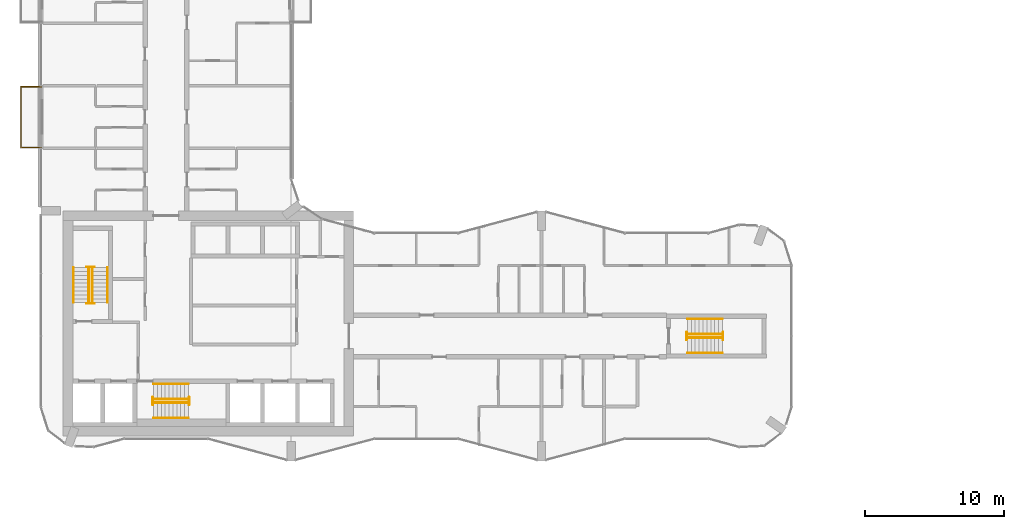
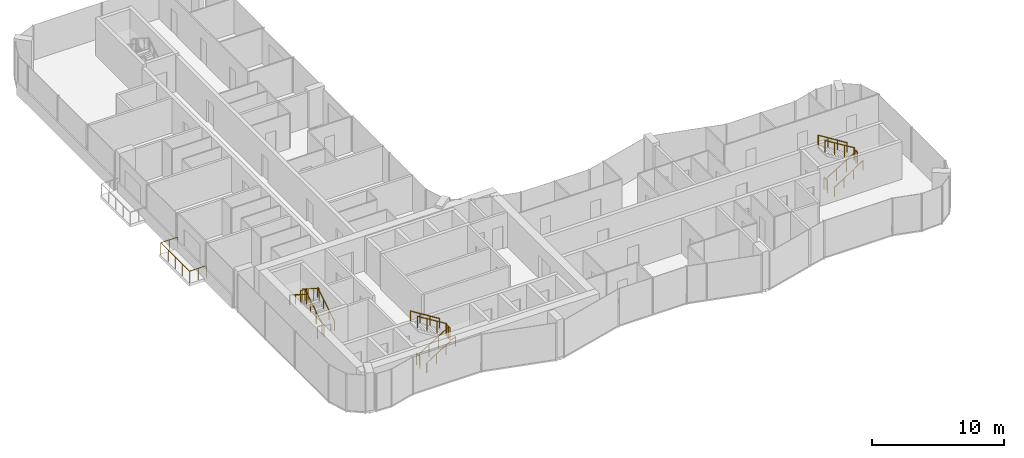
# One storey, part 21 of 23: 19 railings.
"""IFC4 building model written with IfcOpenShell, lengths in metres."""

from ifc_helpers import new_model, si_unit, direction, frame, origin, origin_2d, place, context, subcontext, project, spatial, circle, extrude, material, type_object, element, save


model = new_model("IFC4")

# Units and contexts
model_context = context("Model", 3, precision=1e-05, world=origin(), true_north=direction((0.0, 1.0)))
body_context = subcontext(model_context, "Body", "Model", "MODEL_VIEW")
ifc_project = project(units=[si_unit("LENGTHUNIT", "METRE"), si_unit("AREAUNIT", "SQUARE_METRE"), si_unit("VOLUMEUNIT", "CUBIC_METRE"), si_unit("PLANEANGLEUNIT", "RADIAN"), si_unit("MASSUNIT", "GRAM", prefix="KILO")], contexts=[model_context])

# Site, building, storey
site_placement = place(None, origin())
site = spatial("IfcSite", under=ifc_project, at=site_placement, CompositionType="ELEMENT")
building_placement = place(site_placement, origin())
building = spatial("IfcBuilding", under=site, at=building_placement, Name="Plateau Cross Towers", CompositionType="ELEMENT")
storey_placement = place(building_placement, frame((0.0, 0.0, 95.800048828125)))
storey = spatial("IfcBuildingStorey", under=building, at=storey_placement, Name="L24", CompositionType="ELEMENT", Elevation=95.800048828125)

# Railings
ifc_material_1 = material(Name="Stainless steel and toughened glass", Category="steel")
railing_type_1 = type_object("IfcRailingType", Name="Glass balustrade guard 1100", PredefinedType="GUARDRAIL", material=ifc_material_1)
railing_1_placement = place(storey_placement, frame((0.050048828125, 22.570068359375, 0.0)))
element("IfcRailing", 1, at=railing_1_placement, inside=storey, type_object=railing_type_1, Name="Guard guard1", PredefinedType="GUARDRAIL", context=body_context, shape_type="SweptSolid", body=[
    extrude(circle(Radius=0.02392578125, at=origin_2d()), frame((0.0, 0.0, 1.076171875), z_axis=(-1.0, 0.0, 0.0), x_axis=(0.0, -1.0, 0.0)), (0.0, 0.0, 1.0), 1.47998046875),
    extrude(circle(Radius=0.02392578125, at=origin_2d()), frame((-1.47998046875, 0.0, 1.076171875), z_axis=(0.0, 1.0, 0.0), x_axis=(-1.0, 0.0, 0.0)), (0.0, 0.0, 1.0), 4.35986328125),
    extrude(circle(Radius=0.02392578125, at=origin_2d()), frame((-1.47998046875, 4.35986328125, 1.076171875), z_axis=(1.0, 0.0, 0.0), x_axis=(0.0, 1.0, 0.0)), (0.0, 0.0, 1.0), 1.47998046875),
    extrude(circle(Radius=0.02099609375, at=origin_2d()), origin(), (0.0, 0.0, 1.0), 1.052001953125),
    extrude(circle(Radius=0.02099609375, at=origin_2d()), frame((-0.739990234375, 0.0, 0.0)), (0.0, 0.0, 1.0), 1.052001953125),
    extrude(circle(Radius=0.02099609375, at=origin_2d()), frame((-1.47998046875, 0.0, 0.0)), (0.0, 0.0, 1.0), 1.052001953125),
    extrude(circle(Radius=0.02099609375, at=origin_2d()), frame((-1.47998046875, 1.08984375, 0.0)), (0.0, 0.0, 1.0), 1.052001953125),
    extrude(circle(Radius=0.02099609375, at=origin_2d()), frame((-1.47998046875, 2.179931640625, 0.0)), (0.0, 0.0, 1.0), 1.052001953125),
    extrude(circle(Radius=0.02099609375, at=origin_2d()), frame((-1.47998046875, 3.27001953125, 0.0)), (0.0, 0.0, 1.0), 1.052001953125),
    extrude(circle(Radius=0.02099609375, at=origin_2d()), frame((-1.47998046875, 4.35986328125, 0.0)), (0.0, 0.0, 1.0), 1.052001953125),
    extrude(circle(Radius=0.02099609375, at=origin_2d()), frame((-0.739990234375, 4.35986328125, 0.0)), (0.0, 0.0, 1.0), 1.052001953125),
    extrude(circle(Radius=0.02099609375, at=origin_2d()), frame((0.0, 4.35986328125, 0.0)), (0.0, 0.0, 1.0), 1.052001953125),
])
railing_type_2 = type_object("IfcRailingType", Name="RL-GUARD-1100", PredefinedType="GUARDRAIL", material=ifc_material_1)
railing_2_placement = place(storey_placement, frame((3.699951171875, 11.39990234375, 0.175048828125)))
element("IfcRailing", 2, at=railing_2_placement, inside=storey, type_object=railing_type_2, Name="L24 ST-1 stair guard 1", PredefinedType="GUARDRAIL", context=body_context, shape_type="SweptSolid", body=[
    extrude(circle(Radius=0.02392578125, at=origin_2d()), frame((0.0, 0.0, 1.076171875), z_axis=(0.0, 0.848007534815, 0.529984170421), x_axis=(-1.0, 0.0, 0.0)), (0.0, 0.0, 1.0), 2.9716796875),
    extrude(circle(Radius=0.02099609375, at=origin_2d()), origin(), (0.0, 0.0, 1.0), 1.052001953125),
    extrude(circle(Radius=0.02099609375, at=origin_2d()), frame((0.0, 0.840087890625, 0.52490234375)), (0.0, 0.0, 1.0), 1.052001953125),
    extrude(circle(Radius=0.02099609375, at=origin_2d()), frame((0.0, 1.679931640625, 1.050048828125)), (0.0, 0.0, 1.0), 1.052001953125),
    extrude(circle(Radius=0.02099609375, at=origin_2d()), frame((0.0, 2.52001953125, 1.574951171875)), (0.0, 0.0, 1.0), 1.052001953125),
])
railing_3_placement = place(storey_placement, frame((3.85009765625, 13.969970703125, 1.75)))
element("IfcRailing", 3, at=railing_3_placement, inside=storey, type_object=railing_type_2, Name="L24 ST-1 stair guard 2", PredefinedType="GUARDRAIL", context=body_context, shape_type="SweptSolid", body=[
    extrude(circle(Radius=0.02392578125, at=origin_2d()), frame((0.0, 0.0, 1.076171875), z_axis=(-1.0, 0.0, 0.0), x_axis=(0.0, -1.0, 0.0)), (0.0, 0.0, 1.0), 0.550048828125),
    extrude(circle(Radius=0.02099609375, at=origin_2d()), origin(), (0.0, 0.0, 1.0), 1.052001953125),
    extrude(circle(Radius=0.02099609375, at=origin_2d()), frame((-0.550048828125, 0.0, 0.0)), (0.0, 0.0, 1.0), 1.052001953125),
])
railing_4_placement = place(storey_placement, frame((3.449951171875, 13.919921875, 1.925048828125)))
element("IfcRailing", 4, at=railing_4_placement, inside=storey, type_object=railing_type_2, Name="L24 ST-1 stair guard 3", PredefinedType="GUARDRAIL", context=body_context, shape_type="SweptSolid", body=[
    extrude(circle(Radius=0.02392578125, at=origin_2d()), frame((0.0, 0.0, 1.076171875), z_axis=(0.0, -0.852616386126, 0.522537365276), x_axis=(1.0, 0.0, 0.0)), (0.0, 0.0, 1.0), 3.01416015625),
    extrude(circle(Radius=0.02099609375, at=origin_2d()), origin(), (0.0, 0.0, 1.0), 1.052001953125),
    extrude(circle(Radius=0.02099609375, at=origin_2d()), frame((0.0, -0.856689453125, 0.52490234375)), (0.0, 0.0, 1.0), 1.052001953125),
    extrude(circle(Radius=0.02099609375, at=origin_2d()), frame((0.0, -1.713134765625, 1.050048828125)), (0.0, 0.0, 1.0), 1.052001953125),
    extrude(circle(Radius=0.02099609375, at=origin_2d()), frame((0.0, -2.56982421875, 1.574951171875)), (0.0, 0.0, 1.0), 1.052001953125),
])
railing_5_placement = place(storey_placement, frame((3.85009765625, 11.35009765625, 0.0)))
element("IfcRailing", 5, at=railing_5_placement, inside=storey, type_object=railing_type_2, Name="L24 ST-1 stair guard 4", PredefinedType="GUARDRAIL", context=body_context, shape_type="SweptSolid", body=[
    extrude(circle(Radius=0.02392578125, at=origin_2d()), frame((0.0, 0.0, 1.076171875), z_axis=(-1.0, 0.0, 0.0), x_axis=(0.0, -1.0, 0.0)), (0.0, 0.0, 1.0), 0.550048828125),
    extrude(circle(Radius=0.02099609375, at=origin_2d()), origin(), (0.0, 0.0, 1.0), 1.052001953125),
    extrude(circle(Radius=0.02099609375, at=origin_2d()), frame((-0.550048828125, 0.0, 0.0)), (0.0, 0.0, 1.0), 1.052001953125),
])
railing_6_placement = place(storey_placement, frame((8.10009765625, 4.199951171875, 0.175048828125)))
element("IfcRailing", 6, at=railing_6_placement, inside=storey, type_object=railing_type_2, Name="L24 ST-2 stair guard 1", PredefinedType="GUARDRAIL", context=body_context, shape_type="SweptSolid", body=[
    extrude(circle(Radius=0.02392578125, at=origin_2d()), frame((0.0, 0.0, 1.076171875), z_axis=(0.848007534815, 0.0, 0.529984170421), x_axis=(0.0, 1.0, 0.0)), (0.0, 0.0, 1.0), 2.9716796875),
    extrude(circle(Radius=0.02099609375, at=origin_2d()), origin(), (0.0, 0.0, 1.0), 1.052001953125),
    extrude(circle(Radius=0.02099609375, at=origin_2d()), frame((0.840087890625, 0.0, 0.52490234375)), (0.0, 0.0, 1.0), 1.052001953125),
    extrude(circle(Radius=0.02099609375, at=origin_2d()), frame((1.679931640625, 0.0, 1.050048828125)), (0.0, 0.0, 1.0), 1.052001953125),
    extrude(circle(Radius=0.02099609375, at=origin_2d()), frame((2.52001953125, 0.0, 1.574951171875)), (0.0, 0.0, 1.0), 1.052001953125),
])
railing_7_placement = place(storey_placement, frame((10.669921875, 4.050048828125, 1.75)))
element("IfcRailing", 7, at=railing_7_placement, inside=storey, type_object=railing_type_2, Name="L24 ST-2 stair guard 2", PredefinedType="GUARDRAIL", context=body_context, shape_type="SweptSolid", body=[
    extrude(circle(Radius=0.02392578125, at=origin_2d()), frame((0.0, 0.0, 1.076171875), z_axis=(0.0, 1.0, 0.0), x_axis=(-1.0, 0.0, 0.0)), (0.0, 0.0, 1.0), 0.550048828125),
    extrude(circle(Radius=0.02099609375, at=origin_2d()), origin(), (0.0, 0.0, 1.0), 1.052001953125),
    extrude(circle(Radius=0.02099609375, at=origin_2d()), frame((0.0, 0.550048828125, 0.0)), (0.0, 0.0, 1.0), 1.052001953125),
])
railing_8_placement = place(storey_placement, frame((10.6201171875, 4.449951171875, 1.925048828125)))
element("IfcRailing", 8, at=railing_8_placement, inside=storey, type_object=railing_type_2, Name="L24 ST-2 stair guard 3", PredefinedType="GUARDRAIL", context=body_context, shape_type="SweptSolid", body=[
    extrude(circle(Radius=0.02392578125, at=origin_2d()), frame((0.0, 0.0, 1.076171875), z_axis=(-0.852638500773, 0.0, 0.522501279423), x_axis=(0.0, -1.0, 0.0)), (0.0, 0.0, 1.0), 3.01416015625),
    extrude(circle(Radius=0.02099609375, at=origin_2d()), origin(), (0.0, 0.0, 1.0), 1.052001953125),
    extrude(circle(Radius=0.02099609375, at=origin_2d()), frame((-0.856689453125, 0.0, 0.52490234375)), (0.0, 0.0, 1.0), 1.052001953125),
    extrude(circle(Radius=0.02099609375, at=origin_2d()), frame((-1.71337890625, 0.0, 1.050048828125)), (0.0, 0.0, 1.0), 1.052001953125),
    extrude(circle(Radius=0.02099609375, at=origin_2d()), frame((-2.570068359375, 0.0, 1.574951171875)), (0.0, 0.0, 1.0), 1.052001953125),
])
railing_9_placement = place(storey_placement, frame((8.050048828125, 4.050048828125, 0.0)))
element("IfcRailing", 9, at=railing_9_placement, inside=storey, type_object=railing_type_2, Name="L24 ST-2 stair guard 4", PredefinedType="GUARDRAIL", context=body_context, shape_type="SweptSolid", body=[
    extrude(circle(Radius=0.02392578125, at=origin_2d()), frame((0.0, 0.0, 1.076171875), z_axis=(0.0, 1.0, 0.0), x_axis=(-1.0, 0.0, 0.0)), (0.0, 0.0, 1.0), 0.550048828125),
    extrude(circle(Radius=0.02099609375, at=origin_2d()), origin(), (0.0, 0.0, 1.0), 1.052001953125),
    extrude(circle(Radius=0.02099609375, at=origin_2d()), frame((0.0, 0.550048828125, 0.0)), (0.0, 0.0, 1.0), 1.052001953125),
])
railing_10_placement = place(storey_placement, frame((46.5, 8.875, 0.175048828125)))
element("IfcRailing", 10, at=railing_10_placement, inside=storey, type_object=railing_type_2, Name="L24 ES-E stair guard 1", PredefinedType="GUARDRAIL", context=body_context, shape_type="SweptSolid", body=[
    extrude(circle(Radius=0.02392578125, at=origin_2d()), frame((0.0, 0.0, 1.076171875), z_axis=(0.848007534815, 0.0, 0.529984170421), x_axis=(0.0, 1.0, 0.0)), (0.0, 0.0, 1.0), 2.9716796875),
    extrude(circle(Radius=0.02099609375, at=origin_2d()), origin(), (0.0, 0.0, 1.0), 1.052001953125),
    extrude(circle(Radius=0.02099609375, at=origin_2d()), frame((0.840087890625, 0.0, 0.52490234375)), (0.0, 0.0, 1.0), 1.052001953125),
    extrude(circle(Radius=0.02099609375, at=origin_2d()), frame((1.679931640625, 0.0, 1.050048828125)), (0.0, 0.0, 1.0), 1.052001953125),
    extrude(circle(Radius=0.02099609375, at=origin_2d()), frame((2.52001953125, 0.0, 1.574951171875)), (0.0, 0.0, 1.0), 1.052001953125),
])
railing_11_placement = place(storey_placement, frame((49.070068359375, 8.72509765625, 1.75)))
element("IfcRailing", 11, at=railing_11_placement, inside=storey, type_object=railing_type_2, Name="L24 ES-E stair guard 2", PredefinedType="GUARDRAIL", context=body_context, shape_type="SweptSolid", body=[
    extrude(circle(Radius=0.02392578125, at=origin_2d()), frame((0.0, 0.0, 1.076171875), z_axis=(0.0, 1.0, 0.0), x_axis=(-1.0, 0.0, 0.0)), (0.0, 0.0, 1.0), 0.5498046875),
    extrude(circle(Radius=0.02099609375, at=origin_2d()), origin(), (0.0, 0.0, 1.0), 1.052001953125),
    extrude(circle(Radius=0.02099609375, at=origin_2d()), frame((0.0, 0.5498046875, 0.0)), (0.0, 0.0, 1.0), 1.052001953125),
])
railing_12_placement = place(storey_placement, frame((49.02001953125, 9.125, 1.925048828125)))
element("IfcRailing", 12, at=railing_12_placement, inside=storey, type_object=railing_type_2, Name="L24 ES-E stair guard 3", PredefinedType="GUARDRAIL", context=body_context, shape_type="SweptSolid", body=[
    extrude(circle(Radius=0.02392578125, at=origin_2d()), frame((0.0, 0.0, 1.076171875), z_axis=(-0.852638500773, 0.0, 0.522501279423), x_axis=(0.0, -1.0, 0.0)), (0.0, 0.0, 1.0), 3.01416015625),
    extrude(circle(Radius=0.02099609375, at=origin_2d()), origin(), (0.0, 0.0, 1.0), 1.052001953125),
    extrude(circle(Radius=0.02099609375, at=origin_2d()), frame((-0.856689453125, 0.0, 0.52490234375)), (0.0, 0.0, 1.0), 1.052001953125),
    extrude(circle(Radius=0.02099609375, at=origin_2d()), frame((-1.71337890625, 0.0, 1.050048828125)), (0.0, 0.0, 1.0), 1.052001953125),
    extrude(circle(Radius=0.02099609375, at=origin_2d()), frame((-2.570068359375, 0.0, 1.574951171875)), (0.0, 0.0, 1.0), 1.052001953125),
])
railing_13_placement = place(storey_placement, frame((46.449951171875, 8.72509765625, 0.0)))
element("IfcRailing", 13, at=railing_13_placement, inside=storey, type_object=railing_type_2, Name="L24 ES-E stair guard 4", PredefinedType="GUARDRAIL", context=body_context, shape_type="SweptSolid", body=[
    extrude(circle(Radius=0.02392578125, at=origin_2d()), frame((0.0, 0.0, 1.076171875), z_axis=(0.0, 1.0, 0.0), x_axis=(-1.0, 0.0, 0.0)), (0.0, 0.0, 1.0), 0.5498046875),
    extrude(circle(Radius=0.02099609375, at=origin_2d()), origin(), (0.0, 0.0, 1.0), 1.052001953125),
    extrude(circle(Radius=0.02099609375, at=origin_2d()), frame((0.0, 0.5498046875, 0.0)), (0.0, 0.0, 1.0), 1.052001953125),
])
ifc_material_2 = material(Name="Black anodised aluminium", Category="aluminium")
railing_type_3 = type_object("IfcRailingType", Name="RL-HANDRAIL-900", PredefinedType="HANDRAIL", material=ifc_material_2)
railing_14_placement = place(storey_placement, frame((4.800048828125, 11.39990234375, 0.175048828125)))
element("IfcRailing", 14, at=railing_14_placement, inside=storey, type_object=railing_type_3, Name="L24 ST-1 stair handrail 1", PredefinedType="HANDRAIL", context=body_context, shape_type="SweptSolid", body=[
    extrude(circle(Radius=0.02392578125, at=origin_2d()), frame((0.0, 0.0, 0.8759765625), z_axis=(0.0, 0.848007534815, 0.529984170421), x_axis=(-1.0, 0.0, 0.0)), (0.0, 0.0, 1.0), 2.9716796875),
    extrude(circle(Radius=0.02099609375, at=origin_2d()), origin(), (0.0, 0.0, 1.0), 0.851806640625),
    extrude(circle(Radius=0.02099609375, at=origin_2d()), frame((0.0, 0.840087890625, 0.52490234375)), (0.0, 0.0, 1.0), 0.851806640625),
    extrude(circle(Radius=0.02099609375, at=origin_2d()), frame((0.0, 1.679931640625, 1.050048828125)), (0.0, 0.0, 1.0), 0.851806640625),
    extrude(circle(Radius=0.02099609375, at=origin_2d()), frame((0.0, 2.52001953125, 1.574951171875)), (0.0, 0.0, 1.0), 0.851806640625),
])
railing_15_placement = place(storey_placement, frame((2.35009765625, 13.919921875, 1.925048828125)))
element("IfcRailing", 15, at=railing_15_placement, inside=storey, type_object=railing_type_3, Name="L24 ST-1 stair handrail 2", PredefinedType="HANDRAIL", context=body_context, shape_type="SweptSolid", body=[
    extrude(circle(Radius=0.02392578125, at=origin_2d()), frame((0.0, 0.0, 0.8759765625), z_axis=(0.0, -0.848007534815, 0.529984170421), x_axis=(1.0, 0.0, 0.0)), (0.0, 0.0, 1.0), 2.9716796875),
    extrude(circle(Radius=0.02099609375, at=origin_2d()), origin(), (0.0, 0.0, 1.0), 0.851806640625),
    extrude(circle(Radius=0.02099609375, at=origin_2d()), frame((0.0, -0.840087890625, 0.52490234375)), (0.0, 0.0, 1.0), 0.851806640625),
    extrude(circle(Radius=0.02099609375, at=origin_2d()), frame((0.0, -1.679931640625, 1.050048828125)), (0.0, 0.0, 1.0), 0.851806640625),
    extrude(circle(Radius=0.02099609375, at=origin_2d()), frame((0.0, -2.52001953125, 1.574951171875)), (0.0, 0.0, 1.0), 0.851806640625),
])
railing_16_placement = place(storey_placement, frame((8.10009765625, 3.10009765625, 0.175048828125)))
element("IfcRailing", 16, at=railing_16_placement, inside=storey, type_object=railing_type_3, Name="L24 ST-2 stair handrail 1", PredefinedType="HANDRAIL", context=body_context, shape_type="SweptSolid", body=[
    extrude(circle(Radius=0.02392578125, at=origin_2d()), frame((0.0, 0.0, 0.8759765625), z_axis=(0.848007534815, 0.0, 0.529984170421), x_axis=(0.0, 1.0, 0.0)), (0.0, 0.0, 1.0), 2.9716796875),
    extrude(circle(Radius=0.02099609375, at=origin_2d()), origin(), (0.0, 0.0, 1.0), 0.851806640625),
    extrude(circle(Radius=0.02099609375, at=origin_2d()), frame((0.840087890625, 0.0, 0.52490234375)), (0.0, 0.0, 1.0), 0.851806640625),
    extrude(circle(Radius=0.02099609375, at=origin_2d()), frame((1.679931640625, 0.0, 1.050048828125)), (0.0, 0.0, 1.0), 0.851806640625),
    extrude(circle(Radius=0.02099609375, at=origin_2d()), frame((2.52001953125, 0.0, 1.574951171875)), (0.0, 0.0, 1.0), 0.851806640625),
])
railing_17_placement = place(storey_placement, frame((10.6201171875, 5.550048828125, 1.925048828125)))
element("IfcRailing", 17, at=railing_17_placement, inside=storey, type_object=railing_type_3, Name="L24 ST-2 stair handrail 2", PredefinedType="HANDRAIL", context=body_context, shape_type="SweptSolid", body=[
    extrude(circle(Radius=0.02392578125, at=origin_2d()), frame((0.0, 0.0, 0.8759765625), z_axis=(-0.848007534815, 0.0, 0.529984170421), x_axis=(0.0, -1.0, 0.0)), (0.0, 0.0, 1.0), 2.9716796875),
    extrude(circle(Radius=0.02099609375, at=origin_2d()), origin(), (0.0, 0.0, 1.0), 0.851806640625),
    extrude(circle(Radius=0.02099609375, at=origin_2d()), frame((-0.840087890625, 0.0, 0.52490234375)), (0.0, 0.0, 1.0), 0.851806640625),
    extrude(circle(Radius=0.02099609375, at=origin_2d()), frame((-1.679931640625, 0.0, 1.050048828125)), (0.0, 0.0, 1.0), 0.851806640625),
    extrude(circle(Radius=0.02099609375, at=origin_2d()), frame((-2.52001953125, 0.0, 1.574951171875)), (0.0, 0.0, 1.0), 0.851806640625),
])
railing_18_placement = place(storey_placement, frame((46.5, 7.77490234375, 0.175048828125)))
element("IfcRailing", 18, at=railing_18_placement, inside=storey, type_object=railing_type_3, Name="L24 ES-E stair handrail 1", PredefinedType="HANDRAIL", context=body_context, shape_type="SweptSolid", body=[
    extrude(circle(Radius=0.02392578125, at=origin_2d()), frame((0.0, 0.0, 0.8759765625), z_axis=(0.848007534815, 0.0, 0.529984170421), x_axis=(0.0, 1.0, 0.0)), (0.0, 0.0, 1.0), 2.9716796875),
    extrude(circle(Radius=0.02099609375, at=origin_2d()), origin(), (0.0, 0.0, 1.0), 0.851806640625),
    extrude(circle(Radius=0.02099609375, at=origin_2d()), frame((0.840087890625, 0.0, 0.52490234375)), (0.0, 0.0, 1.0), 0.851806640625),
    extrude(circle(Radius=0.02099609375, at=origin_2d()), frame((1.679931640625, 0.0, 1.050048828125)), (0.0, 0.0, 1.0), 0.851806640625),
    extrude(circle(Radius=0.02099609375, at=origin_2d()), frame((2.52001953125, 0.0, 1.574951171875)), (0.0, 0.0, 1.0), 0.851806640625),
])
railing_19_placement = place(storey_placement, frame((49.02001953125, 10.22509765625, 1.925048828125)))
element("IfcRailing", 19, at=railing_19_placement, inside=storey, type_object=railing_type_3, Name="L24 ES-E stair handrail 2", PredefinedType="HANDRAIL", context=body_context, shape_type="SweptSolid", body=[
    extrude(circle(Radius=0.02392578125, at=origin_2d()), frame((0.0, 0.0, 0.8759765625), z_axis=(-0.848007534815, 0.0, 0.529984170421), x_axis=(0.0, -1.0, 0.0)), (0.0, 0.0, 1.0), 2.9716796875),
    extrude(circle(Radius=0.02099609375, at=origin_2d()), origin(), (0.0, 0.0, 1.0), 0.851806640625),
    extrude(circle(Radius=0.02099609375, at=origin_2d()), frame((-0.840087890625, 0.0, 0.52490234375)), (0.0, 0.0, 1.0), 0.851806640625),
    extrude(circle(Radius=0.02099609375, at=origin_2d()), frame((-1.679931640625, 0.0, 1.050048828125)), (0.0, 0.0, 1.0), 0.851806640625),
    extrude(circle(Radius=0.02099609375, at=origin_2d()), frame((-2.52001953125, 0.0, 1.574951171875)), (0.0, 0.0, 1.0), 0.851806640625),
])

save(model, "model.ifc")
